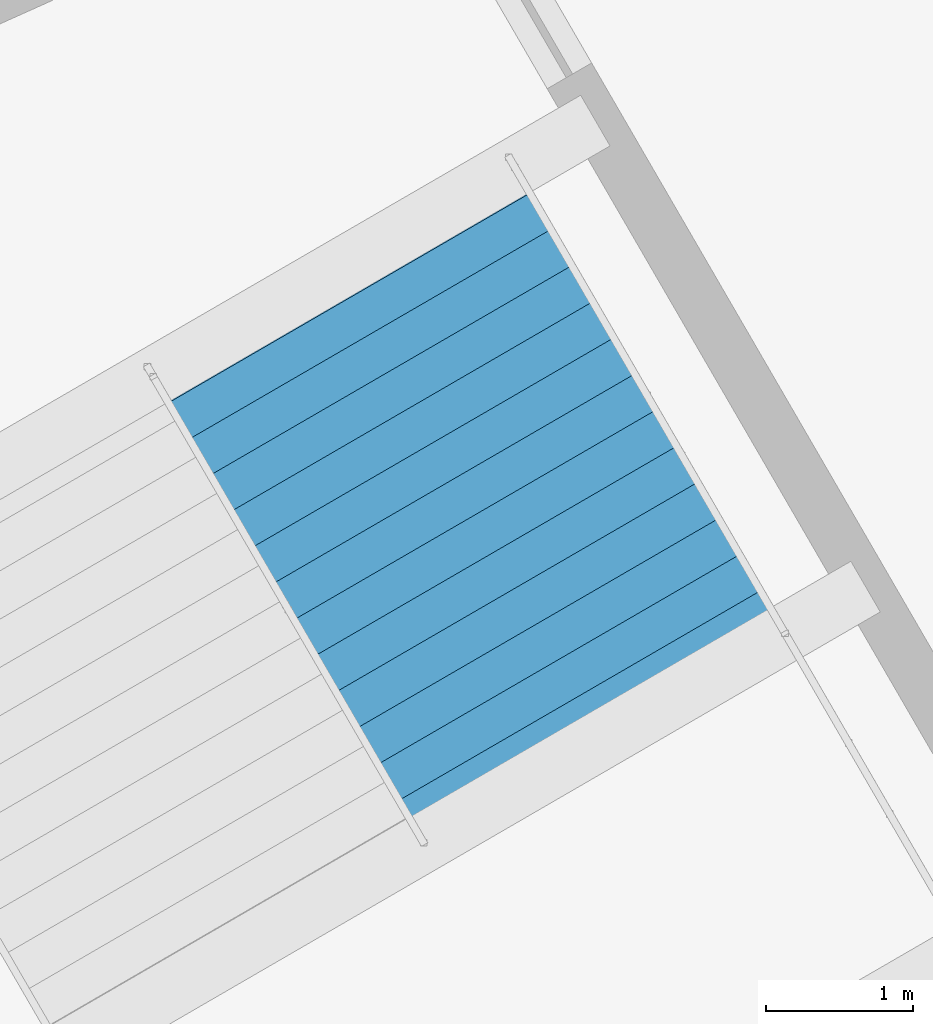
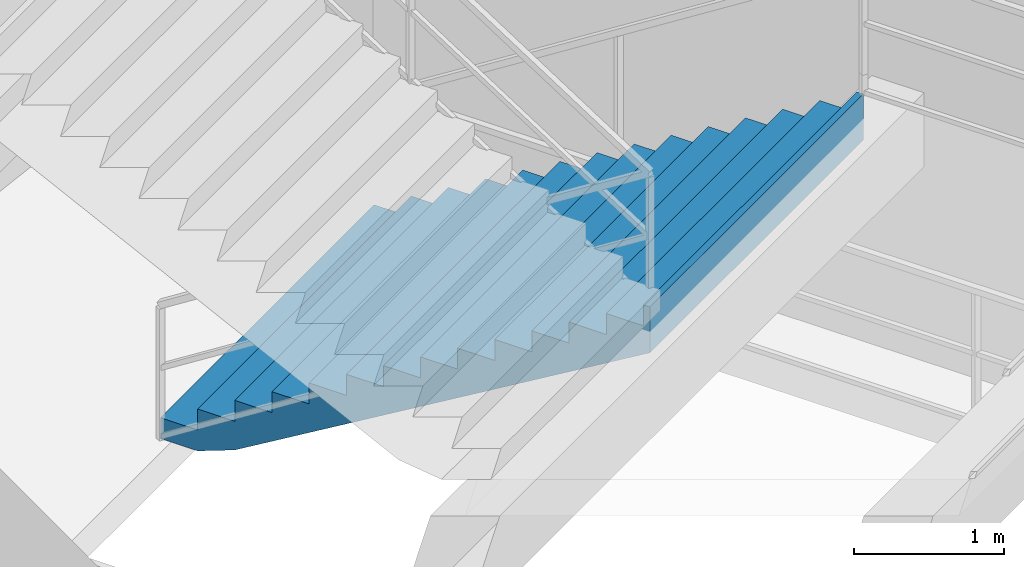
# One storey, part 143 of 171: 1 stair flight, 1 element without a shape of its own.
"""IFC4 building model written with IfcOpenShell, lengths in metres."""

from ifc_helpers import new_model, si_unit, direction, frame, origin, place, context, subcontext, project, spatial, polygons, material, type_object, element, aggregate, save


model = new_model("IFC4")

# Units and contexts
model_context = context("Model", 3, precision=1e-05, world=origin(), true_north=direction((0.0, 1.0)))
body_context = subcontext(model_context, "Body", "Model", "MODEL_VIEW")
ifc_project = project(units=[si_unit("LENGTHUNIT", "METRE"), si_unit("AREAUNIT", "SQUARE_METRE"), si_unit("VOLUMEUNIT", "CUBIC_METRE"), si_unit("PLANEANGLEUNIT", "RADIAN"), si_unit("MASSUNIT", "GRAM", prefix="KILO")], contexts=[model_context])

# Site, building, storey
site_placement = place(None, origin())
site = spatial("IfcSite", under=ifc_project, at=site_placement, CompositionType="ELEMENT")
building_placement = place(site_placement, origin())
building = spatial("IfcBuilding", under=site, at=building_placement, Name="Kazemori Nagisa Stadium", CompositionType="ELEMENT")
storey_placement = place(building_placement, frame((0.0, 0.0, 15.639892578125)))
storey = spatial("IfcBuildingStorey", under=building, at=storey_placement, Name="L03", CompositionType="ELEMENT", Elevation=15.639892578125)

# Stair, stair flight
ifc_material = material(Name="Concrete C36/45 (Fc36)", Category="concrete")
stair_type = type_object("IfcStairType", Name="Stair_CORE_28", PredefinedType="TWO_STRAIGHT_RUN_STAIR", material=ifc_material)
stair_placement = place(storey_placement, origin())
stair = element("IfcStair", 1, at=stair_placement, inside=storey, type_object=stair_type, Name="Exit stair ST09 L03", PredefinedType="TWO_STRAIGHT_RUN_STAIR")
stair_flight_type = type_object("IfcStairFlightType", Name="Flight_CORE_14", PredefinedType="STRAIGHT", material=ifc_material)
stair_flight_placement = place(storey_placement, frame((43.585693359375, 63.55029296875, 0.0), z_axis=(0.0, 0.0, 1.0), x_axis=(0.501607632837, -0.86509524486, 0.0)))
stair_flight = element("IfcStairFlight", 2, at=stair_flight_placement, type_object=stair_flight_type, Name="Exit stair ST09 L03 flight 1", NumberOfRisers=14, NumberOfTreads=13, PredefinedType="STRAIGHT", RiserHeight=0.17, TreadLength=0.285, context=body_context, shape_type="Tessellation", body=[
    polygons([(0.0, -1.425048828125, 0.0), (0.0, -1.425048828125, 0.169921875), (0.284912109375, -1.425048828125, 0.169921875), (0.284912109375, -1.425048828125, 0.340087890625), (0.570068359375, -1.425048828125, 0.340087890625), (0.570068359375, -1.425048828125, 0.510009765625), (0.85498046875, -1.425048828125, 0.510009765625), (0.85498046875, -1.425048828125, 0.679931640625), (1.139892578125, -1.425048828125, 0.679931640625), (1.139892578125, -1.425048828125, 0.85009765625), (1.425048828125, -1.425048828125, 0.85009765625), (1.425048828125, -1.425048828125, 1.02001953125), (1.7099609375, -1.425048828125, 1.02001953125), (1.7099609375, -1.425048828125, 1.18994140625), (1.9951171875, -1.425048828125, 1.18994140625), (1.9951171875, -1.425048828125, 1.360107421875), (2.280029296875, -1.425048828125, 1.360107421875), (2.280029296875, -1.425048828125, 1.530029296875), (2.56494140625, -1.425048828125, 1.530029296875), (2.56494140625, -1.425048828125, 1.699951171875), (2.85009765625, -1.425048828125, 1.699951171875), (2.85009765625, -1.425048828125, 1.8701171875), (3.135009765625, -1.425048828125, 1.8701171875), (3.135009765625, -1.425048828125, 2.0400390625), (3.419921875, -1.425048828125, 2.0400390625), (3.419921875, -1.425048828125, 2.2099609375), (3.705078125, -1.425048828125, 2.2099609375), (3.705078125, -1.425048828125, 2.3798828125), (3.7548828125, -1.425048828125, 2.3798828125), (3.7548828125, -1.425048828125, 2.007080078125), (3.705078125, -1.425048828125, 1.977294921875), (3.419921875, -1.425048828125, 1.80712890625), (3.135009765625, -1.425048828125, 1.63720703125), (2.85009765625, -1.425048828125, 1.46728515625), (2.56494140625, -1.425048828125, 1.297119140625), (2.280029296875, -1.425048828125, 1.127197265625), (1.9951171875, -1.425048828125, 0.957275390625), (1.7099609375, -1.425048828125, 0.787109375), (1.425048828125, -1.425048828125, 0.6171875), (1.139892578125, -1.425048828125, 0.447265625), (0.85498046875, -1.425048828125, 0.277099609375), (0.570068359375, -1.425048828125, 0.107177734375), (0.284912109375, -1.425048828125, 0.0), (0.0, -0.08544921875, 0.0), (0.0, -0.08544921875, 0.169921875), (0.284912109375, -0.08544921875, 0.169921875), (0.284912109375, -0.08544921875, 0.340087890625), (0.570068359375, -0.08544921875, 0.340087890625), (0.570068359375, -0.08544921875, 0.510009765625), (0.85498046875, -0.08544921875, 0.510009765625), (0.85498046875, -0.08544921875, 0.679931640625), (1.139892578125, -0.08544921875, 0.679931640625), (1.139892578125, -0.08544921875, 0.85009765625), (1.425048828125, -0.08544921875, 0.85009765625), (1.425048828125, -0.08544921875, 1.02001953125), (1.7099609375, -0.08544921875, 1.02001953125), (1.7099609375, -0.08544921875, 1.18994140625), (1.9951171875, -0.08544921875, 1.18994140625), (1.9951171875, -0.08544921875, 1.360107421875), (2.280029296875, -0.08544921875, 1.360107421875), (2.280029296875, -0.08544921875, 1.530029296875), (2.56494140625, -0.08544921875, 1.530029296875), (2.56494140625, -0.08544921875, 1.699951171875), (2.85009765625, -0.08544921875, 1.699951171875), (2.85009765625, -0.08544921875, 1.8701171875), (3.135009765625, -0.08544921875, 1.8701171875), (3.135009765625, -0.08544921875, 2.0400390625), (3.419921875, -0.08544921875, 2.0400390625), (3.419921875, -0.08544921875, 2.2099609375), (3.705078125, -0.08544921875, 2.2099609375), (3.705078125, -0.08544921875, 2.3798828125), (3.7548828125, -0.08544921875, 2.3798828125), (3.7548828125, -0.08544921875, 2.007080078125), (3.705078125, -0.08544921875, 1.977294921875), (3.419921875, -0.08544921875, 1.80712890625), (3.135009765625, -0.08544921875, 1.63720703125), (2.85009765625, -0.08544921875, 1.46728515625), (2.56494140625, -0.08544921875, 1.297119140625), (2.280029296875, -0.08544921875, 1.127197265625), (1.9951171875, -0.08544921875, 0.957275390625), (1.7099609375, -0.08544921875, 0.787109375), (1.425048828125, -0.08544921875, 0.6171875), (1.139892578125, -0.08544921875, 0.447265625), (0.85498046875, -0.08544921875, 0.277099609375), (0.570068359375, -0.08544921875, 0.107177734375), (0.284912109375, -0.08544921875, 0.0), (0.0, 0.0, 0.0), (0.0, 0.0, 0.169921875), (0.284912109375, 0.0, 0.169921875), (0.284912109375, 0.0, 0.340087890625), (0.570068359375, 0.0, 0.340087890625), (0.570068359375, 0.0, 0.510009765625), (0.85498046875, 0.0, 0.510009765625), (0.85498046875, 0.0, 0.679931640625), (1.139892578125, 0.0, 0.679931640625), (1.139892578125, 0.0, 0.85009765625), (1.425048828125, 0.0, 0.85009765625), (1.425048828125, 0.0, 1.02001953125), (1.7099609375, 0.0, 1.02001953125), (1.7099609375, 0.0, 1.18994140625), (1.9951171875, 0.0, 1.18994140625), (1.9951171875, 0.0, 1.360107421875), (2.280029296875, 0.0, 1.360107421875), (2.280029296875, 0.0, 1.530029296875), (2.56494140625, 0.0, 1.530029296875), (2.56494140625, 0.0, 1.699951171875), (2.85009765625, 0.0, 1.699951171875), (2.85009765625, 0.0, 1.8701171875), (3.135009765625, 0.0, 1.8701171875), (3.135009765625, 0.0, 2.0400390625), (3.419921875, 0.0, 2.0400390625), (3.419921875, 0.0, 2.2099609375), (3.705078125, 0.0, 2.2099609375), (3.705078125, 0.0, 2.3798828125), (3.7548828125, 0.0, 2.3798828125), (3.7548828125, 0.0, 2.007080078125), (3.705078125, 0.0, 1.977294921875), (3.419921875, 0.0, 1.80712890625), (3.135009765625, 0.0, 1.63720703125), (2.85009765625, 0.0, 1.46728515625), (2.56494140625, 0.0, 1.297119140625), (2.280029296875, 0.0, 1.127197265625), (1.9951171875, 0.0, 0.957275390625), (1.7099609375, 0.0, 0.787109375), (1.425048828125, 0.0, 0.6171875), (1.139892578125, 0.0, 0.447265625), (0.85498046875, 0.0, 0.277099609375), (0.570068359375, 0.0, 0.107177734375), (0.284912109375, 0.0, 0.0), (0.0, 0.08544921875, 0.0), (0.0, 0.08544921875, 0.169921875), (0.284912109375, 0.08544921875, 0.169921875), (0.284912109375, 0.08544921875, 0.340087890625), (0.570068359375, 0.08544921875, 0.340087890625), (0.570068359375, 0.08544921875, 0.510009765625), (0.85498046875, 0.08544921875, 0.510009765625), (0.85498046875, 0.08544921875, 0.679931640625), (1.139892578125, 0.08544921875, 0.679931640625), (1.139892578125, 0.08544921875, 0.85009765625), (1.425048828125, 0.08544921875, 0.85009765625), (1.425048828125, 0.08544921875, 1.02001953125), (1.7099609375, 0.08544921875, 1.02001953125), (1.7099609375, 0.08544921875, 1.18994140625), (1.9951171875, 0.08544921875, 1.18994140625), (1.9951171875, 0.08544921875, 1.360107421875), (2.280029296875, 0.08544921875, 1.360107421875), (2.280029296875, 0.08544921875, 1.530029296875), (2.56494140625, 0.08544921875, 1.530029296875), (2.56494140625, 0.08544921875, 1.699951171875), (2.85009765625, 0.08544921875, 1.699951171875), (2.85009765625, 0.08544921875, 1.8701171875), (3.135009765625, 0.08544921875, 1.8701171875), (3.135009765625, 0.08544921875, 2.0400390625), (3.419921875, 0.08544921875, 2.0400390625), (3.419921875, 0.08544921875, 2.2099609375), (3.705078125, 0.08544921875, 2.2099609375), (3.705078125, 0.08544921875, 2.3798828125), (3.7548828125, 0.08544921875, 2.3798828125), (3.7548828125, 0.08544921875, 2.007080078125), (3.705078125, 0.08544921875, 1.977294921875), (3.419921875, 0.08544921875, 1.80712890625), (3.135009765625, 0.08544921875, 1.63720703125), (2.85009765625, 0.08544921875, 1.46728515625), (2.56494140625, 0.08544921875, 1.297119140625), (2.280029296875, 0.08544921875, 1.127197265625), (1.9951171875, 0.08544921875, 0.957275390625), (1.7099609375, 0.08544921875, 0.787109375), (1.425048828125, 0.08544921875, 0.6171875), (1.139892578125, 0.08544921875, 0.447265625), (0.85498046875, 0.08544921875, 0.277099609375), (0.570068359375, 0.08544921875, 0.107177734375), (0.284912109375, 0.08544921875, 0.0), (0.0, 1.425048828125, 0.0), (0.0, 1.425048828125, 0.169921875), (0.284912109375, 1.425048828125, 0.169921875), (0.284912109375, 1.425048828125, 0.340087890625), (0.570068359375, 1.425048828125, 0.340087890625), (0.570068359375, 1.425048828125, 0.510009765625), (0.85498046875, 1.425048828125, 0.510009765625), (0.85498046875, 1.425048828125, 0.679931640625), (1.139892578125, 1.425048828125, 0.679931640625), (1.139892578125, 1.425048828125, 0.85009765625), (1.425048828125, 1.425048828125, 0.85009765625), (1.425048828125, 1.425048828125, 1.02001953125), (1.7099609375, 1.425048828125, 1.02001953125), (1.7099609375, 1.425048828125, 1.18994140625), (1.9951171875, 1.425048828125, 1.18994140625), (1.9951171875, 1.425048828125, 1.360107421875), (2.280029296875, 1.425048828125, 1.360107421875), (2.280029296875, 1.425048828125, 1.530029296875), (2.56494140625, 1.425048828125, 1.530029296875), (2.56494140625, 1.425048828125, 1.699951171875), (2.85009765625, 1.425048828125, 1.699951171875), (2.85009765625, 1.425048828125, 1.8701171875), (3.135009765625, 1.425048828125, 1.8701171875), (3.135009765625, 1.425048828125, 2.0400390625), (3.419921875, 1.425048828125, 2.0400390625), (3.419921875, 1.425048828125, 2.2099609375), (3.705078125, 1.425048828125, 2.2099609375), (3.705078125, 1.425048828125, 2.3798828125), (3.7548828125, 1.425048828125, 2.3798828125), (3.7548828125, 1.425048828125, 2.007080078125), (3.705078125, 1.425048828125, 1.977294921875), (3.419921875, 1.425048828125, 1.80712890625), (3.135009765625, 1.425048828125, 1.63720703125), (2.85009765625, 1.425048828125, 1.46728515625), (2.56494140625, 1.425048828125, 1.297119140625), (2.280029296875, 1.425048828125, 1.127197265625), (1.9951171875, 1.425048828125, 0.957275390625), (1.7099609375, 1.425048828125, 0.787109375), (1.425048828125, 1.425048828125, 0.6171875), (1.139892578125, 1.425048828125, 0.447265625), (0.85498046875, 1.425048828125, 0.277099609375), (0.570068359375, 1.425048828125, 0.107177734375), (0.284912109375, 1.425048828125, 0.0)], [[[1, 2, 45]], [[1, 45, 44]], [[2, 3, 46]], [[2, 46, 45]], [[3, 4, 47]], [[3, 47, 46]], [[4, 5, 48]], [[4, 48, 47]], [[5, 6, 49]], [[5, 49, 48]], [[6, 7, 50]], [[6, 50, 49]], [[7, 8, 51]], [[7, 51, 50]], [[8, 9, 52]], [[8, 52, 51]], [[9, 10, 53]], [[9, 53, 52]], [[10, 11, 54]], [[10, 54, 53]], [[11, 12, 55]], [[11, 55, 54]], [[12, 13, 56]], [[12, 56, 55]], [[13, 14, 57]], [[13, 57, 56]], [[14, 15, 58]], [[14, 58, 57]], [[15, 16, 59]], [[15, 59, 58]], [[16, 17, 60]], [[16, 60, 59]], [[17, 18, 61]], [[17, 61, 60]], [[18, 19, 62]], [[18, 62, 61]], [[19, 20, 63]], [[19, 63, 62]], [[20, 21, 64]], [[20, 64, 63]], [[21, 22, 65]], [[21, 65, 64]], [[22, 23, 66]], [[22, 66, 65]], [[23, 24, 67]], [[23, 67, 66]], [[24, 25, 68]], [[24, 68, 67]], [[25, 26, 69]], [[25, 69, 68]], [[26, 27, 70]], [[26, 70, 69]], [[27, 28, 71]], [[27, 71, 70]], [[28, 29, 72]], [[28, 72, 71]], [[29, 30, 73]], [[29, 73, 72]], [[30, 31, 74]], [[30, 74, 73]], [[31, 32, 75]], [[31, 75, 74]], [[32, 33, 76]], [[32, 76, 75]], [[33, 34, 77]], [[33, 77, 76]], [[34, 35, 78]], [[34, 78, 77]], [[35, 36, 79]], [[35, 79, 78]], [[36, 37, 80]], [[36, 80, 79]], [[37, 38, 81]], [[37, 81, 80]], [[38, 39, 82]], [[38, 82, 81]], [[39, 40, 83]], [[39, 83, 82]], [[40, 41, 84]], [[40, 84, 83]], [[41, 42, 85]], [[41, 85, 84]], [[42, 43, 86]], [[42, 86, 85]], [[43, 1, 44]], [[43, 44, 86]], [[44, 45, 88]], [[44, 88, 87]], [[45, 46, 89]], [[45, 89, 88]], [[46, 47, 90]], [[46, 90, 89]], [[47, 48, 91]], [[47, 91, 90]], [[48, 49, 92]], [[48, 92, 91]], [[49, 50, 93]], [[49, 93, 92]], [[50, 51, 94]], [[50, 94, 93]], [[51, 52, 95]], [[51, 95, 94]], [[52, 53, 96]], [[52, 96, 95]], [[53, 54, 97]], [[53, 97, 96]], [[54, 55, 98]], [[54, 98, 97]], [[55, 56, 99]], [[55, 99, 98]], [[56, 57, 100]], [[56, 100, 99]], [[57, 58, 101]], [[57, 101, 100]], [[58, 59, 102]], [[58, 102, 101]], [[59, 60, 103]], [[59, 103, 102]], [[60, 61, 104]], [[60, 104, 103]], [[61, 62, 105]], [[61, 105, 104]], [[62, 63, 106]], [[62, 106, 105]], [[63, 64, 107]], [[63, 107, 106]], [[64, 65, 108]], [[64, 108, 107]], [[65, 66, 109]], [[65, 109, 108]], [[66, 67, 110]], [[66, 110, 109]], [[67, 68, 111]], [[67, 111, 110]], [[68, 69, 112]], [[68, 112, 111]], [[69, 70, 113]], [[69, 113, 112]], [[70, 71, 114]], [[70, 114, 113]], [[71, 72, 115]], [[71, 115, 114]], [[72, 73, 116]], [[72, 116, 115]], [[73, 74, 117]], [[73, 117, 116]], [[74, 75, 118]], [[74, 118, 117]], [[75, 76, 119]], [[75, 119, 118]], [[76, 77, 120]], [[76, 120, 119]], [[77, 78, 121]], [[77, 121, 120]], [[78, 79, 122]], [[78, 122, 121]], [[79, 80, 123]], [[79, 123, 122]], [[80, 81, 124]], [[80, 124, 123]], [[81, 82, 125]], [[81, 125, 124]], [[82, 83, 126]], [[82, 126, 125]], [[83, 84, 127]], [[83, 127, 126]], [[84, 85, 128]], [[84, 128, 127]], [[85, 86, 129]], [[85, 129, 128]], [[86, 44, 87]], [[86, 87, 129]], [[87, 88, 131]], [[87, 131, 130]], [[88, 89, 132]], [[88, 132, 131]], [[89, 90, 133]], [[89, 133, 132]], [[90, 91, 134]], [[90, 134, 133]], [[91, 92, 135]], [[91, 135, 134]], [[92, 93, 136]], [[92, 136, 135]], [[93, 94, 137]], [[93, 137, 136]], [[94, 95, 138]], [[94, 138, 137]], [[95, 96, 139]], [[95, 139, 138]], [[96, 97, 140]], [[96, 140, 139]], [[97, 98, 141]], [[97, 141, 140]], [[98, 99, 142]], [[98, 142, 141]], [[99, 100, 143]], [[99, 143, 142]], [[100, 101, 144]], [[100, 144, 143]], [[101, 102, 145]], [[101, 145, 144]], [[102, 103, 146]], [[102, 146, 145]], [[103, 104, 147]], [[103, 147, 146]], [[104, 105, 148]], [[104, 148, 147]], [[105, 106, 149]], [[105, 149, 148]], [[106, 107, 150]], [[106, 150, 149]], [[107, 108, 151]], [[107, 151, 150]], [[108, 109, 152]], [[108, 152, 151]], [[109, 110, 153]], [[109, 153, 152]], [[110, 111, 154]], [[110, 154, 153]], [[111, 112, 155]], [[111, 155, 154]], [[112, 113, 156]], [[112, 156, 155]], [[113, 114, 157]], [[113, 157, 156]], [[114, 115, 158]], [[114, 158, 157]], [[115, 116, 159]], [[115, 159, 158]], [[116, 117, 160]], [[116, 160, 159]], [[117, 118, 161]], [[117, 161, 160]], [[118, 119, 162]], [[118, 162, 161]], [[119, 120, 163]], [[119, 163, 162]], [[120, 121, 164]], [[120, 164, 163]], [[121, 122, 165]], [[121, 165, 164]], [[122, 123, 166]], [[122, 166, 165]], [[123, 124, 167]], [[123, 167, 166]], [[124, 125, 168]], [[124, 168, 167]], [[125, 126, 169]], [[125, 169, 168]], [[126, 127, 170]], [[126, 170, 169]], [[127, 128, 171]], [[127, 171, 170]], [[128, 129, 172]], [[128, 172, 171]], [[129, 87, 130]], [[129, 130, 172]], [[130, 131, 174]], [[130, 174, 173]], [[131, 132, 175]], [[131, 175, 174]], [[132, 133, 176]], [[132, 176, 175]], [[133, 134, 177]], [[133, 177, 176]], [[134, 135, 178]], [[134, 178, 177]], [[135, 136, 179]], [[135, 179, 178]], [[136, 137, 180]], [[136, 180, 179]], [[137, 138, 181]], [[137, 181, 180]], [[138, 139, 182]], [[138, 182, 181]], [[139, 140, 183]], [[139, 183, 182]], [[140, 141, 184]], [[140, 184, 183]], [[141, 142, 185]], [[141, 185, 184]], [[142, 143, 186]], [[142, 186, 185]], [[143, 144, 187]], [[143, 187, 186]], [[144, 145, 188]], [[144, 188, 187]], [[145, 146, 189]], [[145, 189, 188]], [[146, 147, 190]], [[146, 190, 189]], [[147, 148, 191]], [[147, 191, 190]], [[148, 149, 192]], [[148, 192, 191]], [[149, 150, 193]], [[149, 193, 192]], [[150, 151, 194]], [[150, 194, 193]], [[151, 152, 195]], [[151, 195, 194]], [[152, 153, 196]], [[152, 196, 195]], [[153, 154, 197]], [[153, 197, 196]], [[154, 155, 198]], [[154, 198, 197]], [[155, 156, 199]], [[155, 199, 198]], [[156, 157, 200]], [[156, 200, 199]], [[157, 158, 201]], [[157, 201, 200]], [[158, 159, 202]], [[158, 202, 201]], [[159, 160, 203]], [[159, 203, 202]], [[160, 161, 204]], [[160, 204, 203]], [[161, 162, 205]], [[161, 205, 204]], [[162, 163, 206]], [[162, 206, 205]], [[163, 164, 207]], [[163, 207, 206]], [[164, 165, 208]], [[164, 208, 207]], [[165, 166, 209]], [[165, 209, 208]], [[166, 167, 210]], [[166, 210, 209]], [[167, 168, 211]], [[167, 211, 210]], [[168, 169, 212]], [[168, 212, 211]], [[169, 170, 213]], [[169, 213, 212]], [[170, 171, 214]], [[170, 214, 213]], [[171, 172, 215]], [[171, 215, 214]], [[172, 130, 173]], [[172, 173, 215]], [[3, 2, 1]], [[173, 174, 175]], [[43, 3, 1]], [[173, 175, 215]], [[42, 3, 43]], [[215, 175, 214]], [[5, 3, 42]], [[214, 175, 177]], [[5, 4, 3]], [[175, 176, 177]], [[41, 5, 42]], [[214, 177, 213]], [[7, 5, 41]], [[213, 177, 179]], [[7, 6, 5]], [[177, 178, 179]], [[40, 7, 41]], [[213, 179, 212]], [[9, 7, 40]], [[212, 179, 181]], [[9, 8, 7]], [[179, 180, 181]], [[39, 9, 40]], [[212, 181, 211]], [[11, 9, 39]], [[211, 181, 183]], [[11, 10, 9]], [[181, 182, 183]], [[38, 11, 39]], [[211, 183, 210]], [[13, 11, 38]], [[210, 183, 185]], [[13, 12, 11]], [[183, 184, 185]], [[37, 13, 38]], [[210, 185, 209]], [[15, 13, 37]], [[209, 185, 187]], [[15, 14, 13]], [[185, 186, 187]], [[36, 15, 37]], [[209, 187, 208]], [[17, 15, 36]], [[208, 187, 189]], [[17, 16, 15]], [[187, 188, 189]], [[35, 17, 36]], [[208, 189, 207]], [[19, 17, 35]], [[207, 189, 191]], [[19, 18, 17]], [[189, 190, 191]], [[34, 19, 35]], [[207, 191, 206]], [[21, 19, 34]], [[206, 191, 193]], [[21, 20, 19]], [[191, 192, 193]], [[33, 21, 34]], [[206, 193, 205]], [[23, 21, 33]], [[205, 193, 195]], [[23, 22, 21]], [[193, 194, 195]], [[32, 23, 33]], [[205, 195, 204]], [[25, 23, 32]], [[204, 195, 197]], [[25, 24, 23]], [[195, 196, 197]], [[31, 25, 32]], [[204, 197, 203]], [[27, 25, 31]], [[203, 197, 199]], [[27, 26, 25]], [[197, 198, 199]], [[30, 27, 31]], [[203, 199, 202]], [[29, 27, 30]], [[202, 199, 201]], [[29, 28, 27]], [[199, 200, 201]]], closed=True),
])
aggregate(stair, [stair_flight])

save(model, "model.ifc")
